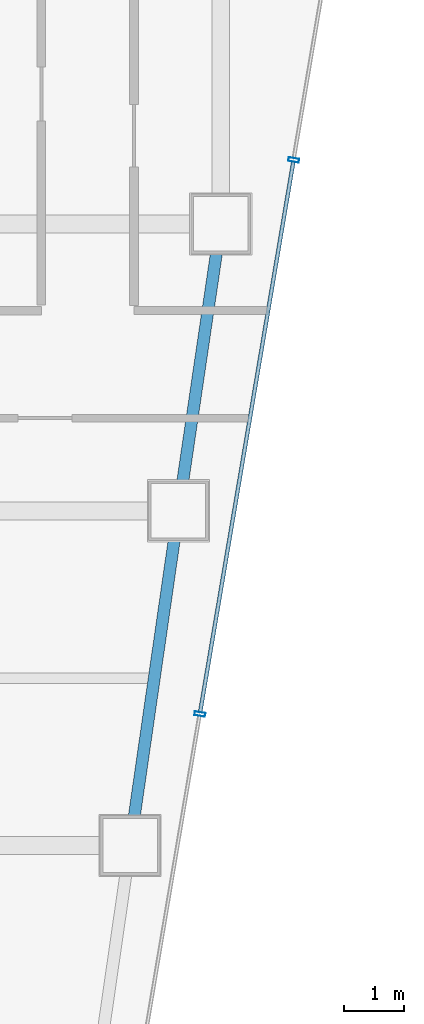
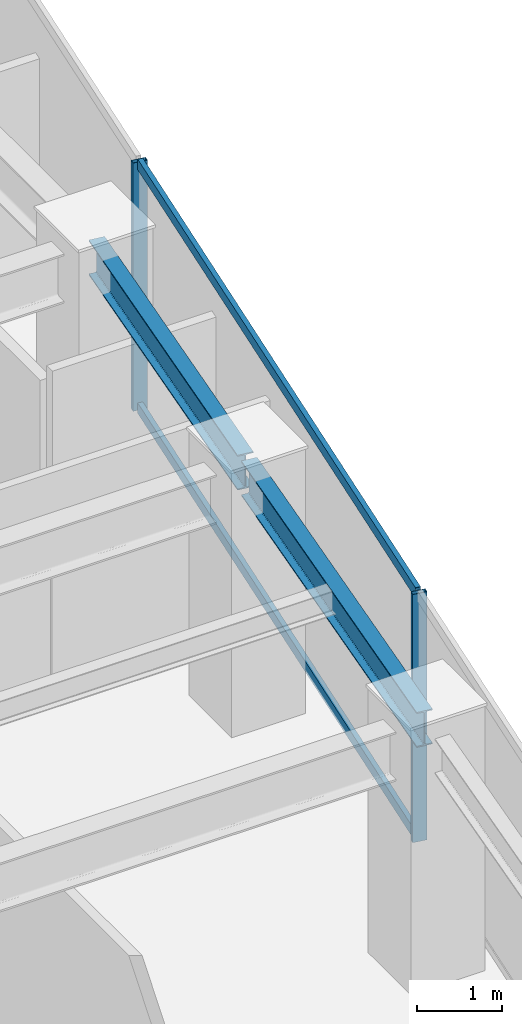
# One storey, part 21 of 35: 4 members, 2 beams, 1 element without a shape of its own.
"""IFC4 building model written with IfcOpenShell, lengths in metres."""

from ifc_helpers import new_model, si_unit, direction, frame, origin, origin_2d, place, context, subcontext, project, spatial, hollow_rectangle, i_section, extrude, material, material_profile, profile_set, type_object, element, aggregate, save


model = new_model("IFC4")

# Units and contexts
model_context = context("Model", 3, precision=1e-05, world=origin(), true_north=direction((0.0, 1.0)))
body_context = subcontext(model_context, "Body", "Model", "MODEL_VIEW")
ifc_project = project(units=[si_unit("LENGTHUNIT", "METRE"), si_unit("AREAUNIT", "SQUARE_METRE"), si_unit("VOLUMEUNIT", "CUBIC_METRE"), si_unit("PLANEANGLEUNIT", "RADIAN"), si_unit("MASSUNIT", "GRAM", prefix="KILO")], contexts=[model_context])

# Site, building, storey
site_placement = place(None, origin())
site = spatial("IfcSite", under=ifc_project, at=site_placement, CompositionType="ELEMENT")
building_placement = place(site_placement, origin())
building = spatial("IfcBuilding", under=site, at=building_placement, Name="Saevonmaru Cultural Tower", CompositionType="ELEMENT")
storey_placement = place(building_placement, frame((0.0, 0.0, 179.0)))
storey = spatial("IfcBuildingStorey", under=building, at=storey_placement, Name="L40", CompositionType="ELEMENT", Elevation=179.0)

# Beams
ifc_material_1 = material(Name="Steel SM355", Category="steel")
ifc_material_profile_1 = material_profile(ifc_material_1, i_section(OverallWidth=0.199951171875, OverallDepth=0.5, WebThickness=0.010009765625, FlangeThickness=0.01611328125, FilletRadius=0.02001953125, at=origin_2d()), Name="H-500x200x10x16")
ifc_profile_set_1 = profile_set([ifc_material_profile_1], Name="Steel SM355")
beam_type = type_object("IfcBeamType", Name="BM-SP-H500", PredefinedType="SPANDREL", material=ifc_profile_set_1)
beam_1_placement = place(storey_placement, frame((51.691650390625, 32.059326171875, 3.300048828125), z_axis=(0.142964121327, 0.989727871697, 0.0), x_axis=(-0.989727871697, 0.142964121327, 0.0)))
element("IfcBeam", 1, at=beam_1_placement, inside=storey, type_object=beam_type, Name="L40 East Splayed Spandrel 3", PredefinedType="SPANDREL", context=body_context, shape_type="SweptSolid", body=[
    extrude(i_section(OverallWidth=0.199951171875, OverallDepth=0.5, WebThickness=0.010009765625, FlangeThickness=0.01611328125, FilletRadius=0.02001953125, at=origin_2d()), origin(), (0.0, 0.0, 1.0), 5.5380859375),
])
beam_2_placement = place(storey_placement, frame((52.500732421875, 37.659423828125, 3.300048828125), z_axis=(0.145912860028, 0.989297446312, 0.0), x_axis=(-0.989297446312, 0.145912860028, 0.0)))
element("IfcBeam", 2, at=beam_2_placement, inside=storey, type_object=beam_type, Name="L40 East Splayed Spandrel 4", PredefinedType="SPANDREL", context=body_context, shape_type="SweptSolid", body=[
    extrude(i_section(OverallWidth=0.199951171875, OverallDepth=0.5, WebThickness=0.010009765625, FlangeThickness=0.01611328125, FilletRadius=0.02001953125, at=origin_2d()), origin(), (0.0, 0.0, 1.0), 4.731689453125),
])

# Curtain wall, members
ifc_material_2 = material(Name="Satin Bronze Anodised Aluminium", Category="aluminium")
curtain_wall_type = type_object("IfcCurtainWallType", Name="CW-TYP-B", PredefinedType="NOTDEFINED", material=ifc_material_2)
curtain_wall_placement = place(storey_placement, origin())
curtain_wall = element("IfcCurtainWall", 3, at=curtain_wall_placement, inside=storey, type_object=curtain_wall_type, Name="L40 Unitised Curtain Wall E8", PredefinedType="NOTDEFINED")
ifc_material_profile_2 = material_profile(ifc_material_2, hollow_rectangle(XDim=0.06494140625, YDim=0.179931640625, WallThickness=0.00390625, at=origin_2d()), Name="ALU-MULL-180x65x4")
ifc_profile_set_2 = profile_set([ifc_material_profile_2], Name="Satin Bronze Anodised Aluminium")
member_type_1 = type_object("IfcMemberType", Name="ML-CW-180x65", PredefinedType="MULLION", material=ifc_profile_set_2)
member_1_placement = place(storey_placement, frame((52.85107421875, 34.199951171875, 0.0), z_axis=(0.0, 0.0, 1.0), x_axis=(0.16692169721, 0.985970155228, 0.0)))
member_1 = element("IfcMember", 4, at=member_1_placement, type_object=member_type_1, Name="CW-TW-L40-E8 mullion 3", PredefinedType="MULLION", context=body_context, shape_type="SweptSolid", body=[
    extrude(hollow_rectangle(XDim=0.06494140625, YDim=0.179931640625, WallThickness=0.00390625, at=origin_2d()), origin(), (0.0, 0.0, 1.0), 3.550048828125),
])
member_2_placement = place(storey_placement, frame((54.420654296875, 43.470458984375, 0.0), z_axis=(0.0, 0.0, 1.0), x_axis=(0.16692169721, 0.985970155228, 0.0)))
member_2 = element("IfcMember", 5, at=member_2_placement, type_object=member_type_1, Name="CW-TW-L40-E8 mullion 4", PredefinedType="MULLION", context=body_context, shape_type="SweptSolid", body=[
    extrude(hollow_rectangle(XDim=0.06494140625, YDim=0.179931640625, WallThickness=0.00390625, at=origin_2d()), origin(), (0.0, 0.0, 1.0), 3.550048828125),
])
ifc_material_profile_3 = material_profile(ifc_material_2, hollow_rectangle(XDim=0.06494140625, YDim=0.14990234375, WallThickness=0.00390625, at=origin_2d()), Name="ALU-TRAN-150x65x4")
ifc_profile_set_3 = profile_set([ifc_material_profile_3], Name="Satin Bronze Anodised Aluminium")
member_type_2 = type_object("IfcMemberType", Name="TR-CW-150x65", PredefinedType="USERDEFINED", material=ifc_profile_set_3)
member_3_placement = place(storey_placement, frame((52.8564453125, 34.23193359375, 0.032470703125), z_axis=(0.166916960754, 0.985970957084, 0.0), x_axis=(-0.985970957084, 0.166916960754, 0.0)))
member_3 = element("IfcMember", 6, at=member_3_placement, type_object=member_type_2, Name="CW-TW-L40-E8 transom 3.1", ObjectType="TRANSOM", PredefinedType="USERDEFINED", context=body_context, shape_type="SweptSolid", body=[
    extrude(hollow_rectangle(XDim=0.06494140625, YDim=0.14990234375, WallThickness=0.00390625, at=origin_2d()), origin(), (0.0, 0.0, 1.0), 9.337646484375),
])
member_4_placement = place(storey_placement, frame((52.8564453125, 34.23193359375, 3.517578125), z_axis=(0.166916960754, 0.985970957084, 0.0), x_axis=(-0.985970957084, 0.166916960754, 0.0)))
member_4 = element("IfcMember", 7, at=member_4_placement, type_object=member_type_2, Name="CW-TW-L40-E8 transom 3.2", ObjectType="TRANSOM", PredefinedType="USERDEFINED", context=body_context, shape_type="SweptSolid", body=[
    extrude(hollow_rectangle(XDim=0.06494140625, YDim=0.14990234375, WallThickness=0.00390625, at=origin_2d()), origin(), (0.0, 0.0, 1.0), 9.337646484375),
])
aggregate(curtain_wall, [member_1, member_2, member_3, member_4])

save(model, "model.ifc")
